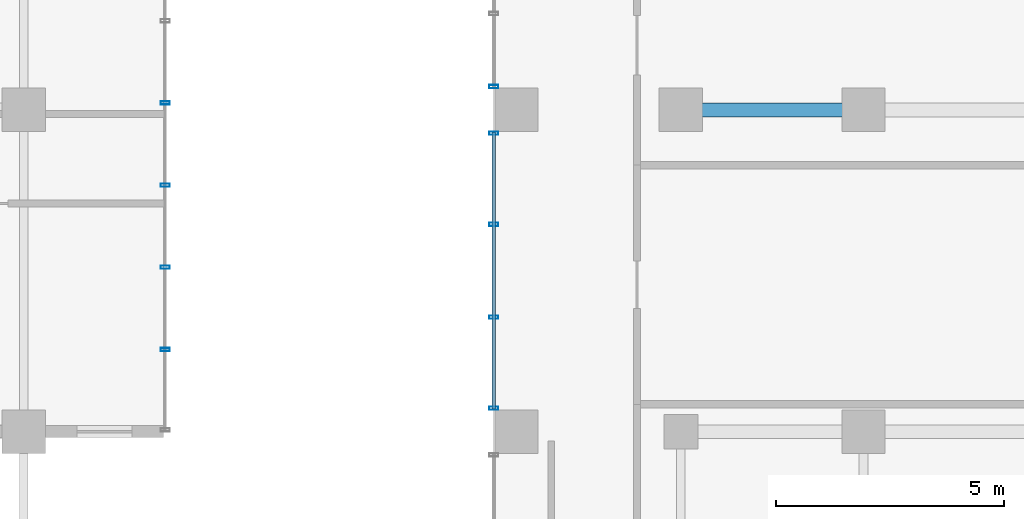
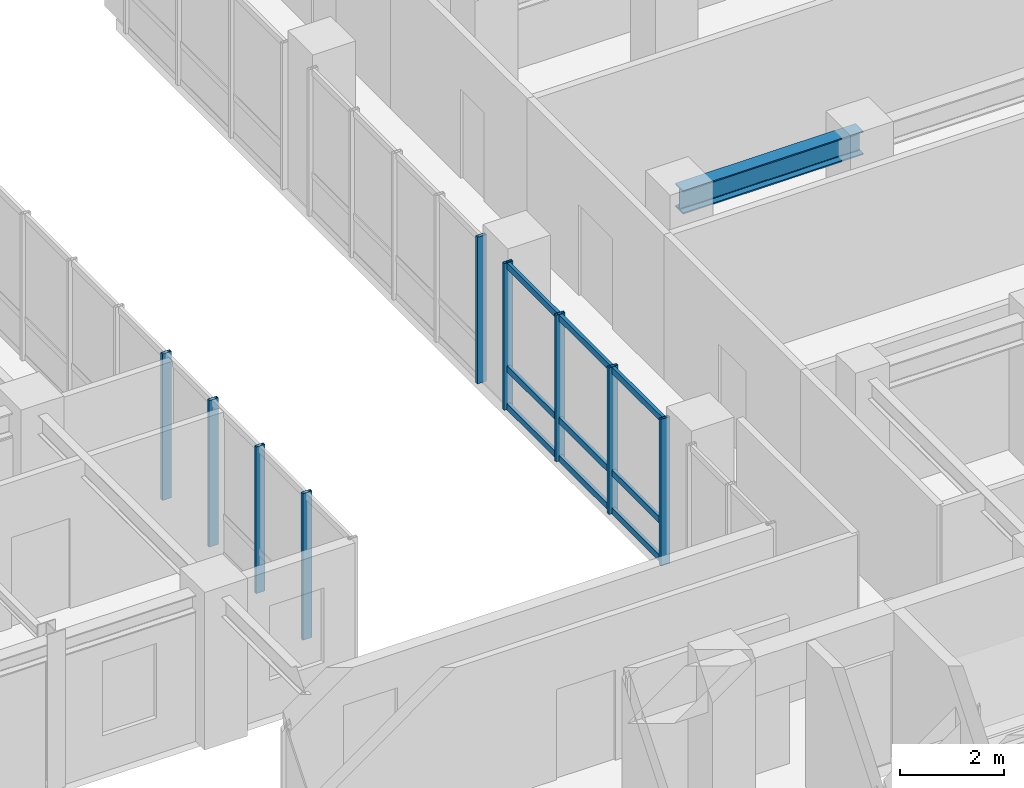
# One storey, part 9 of 24: 12 members, 1 beam, 3 elements without a shape of their own.
"""IFC4 building model written with IfcOpenShell, lengths in metres."""

from ifc_helpers import new_model, si_unit, direction, frame, origin, origin_2d, place, context, subcontext, project, spatial, hollow_rectangle, i_section, extrude, source, transform, mapped, material, layer, layer_set, material_profile, profile_set, type_object, element, aggregate, save


model = new_model("IFC4")

# Units and contexts
model_context = context("Model", 3, precision=1e-05, world=origin(), true_north=direction((0.0, 1.0)))
body_context = subcontext(model_context, "Body", "Model", "MODEL_VIEW")
ifc_project = project(units=[si_unit("LENGTHUNIT", "METRE"), si_unit("AREAUNIT", "SQUARE_METRE"), si_unit("VOLUMEUNIT", "CUBIC_METRE"), si_unit("PLANEANGLEUNIT", "RADIAN"), si_unit("MASSUNIT", "GRAM", prefix="KILO")], contexts=[model_context])

# Site, building, storey
site_placement = place(None, origin())
site = spatial("IfcSite", under=ifc_project, at=site_placement, CompositionType="ELEMENT")
building_placement = place(site_placement, origin())
building = spatial("IfcBuilding", under=site, at=building_placement, Name="Kaliganga Portal Commons", CompositionType="ELEMENT")
storey_placement = place(building_placement, frame((0.0, 0.0, 238.800048828125)))
storey = spatial("IfcBuildingStorey", under=building, at=storey_placement, Name="L61", CompositionType="ELEMENT", Elevation=238.800048828125)

# Beam
ifc_material_1 = material(Name="Structural steel S355J2", Category="steel")
ifc_material_profile_1 = material_profile(ifc_material_1, i_section(OverallWidth=0.300048828125, OverallDepth=0.550048828125, WebThickness=0.014892578125, FlangeThickness=0.029052734375, FilletRadius=0.027099609375, at=origin_2d()), Name="HE 550 B")
ifc_profile_set_1 = profile_set([ifc_material_profile_1], Name="Structural steel S355J2 wide-flange")
beam_type = type_object("IfcBeamType", Name="BM-GIRD-550", PredefinedType="USERDEFINED", material=ifc_profile_set_1)
shared_shape_1 = source(origin(), body_context, "Body", "SweptSolid", [
    extrude(i_section(OverallWidth=0.300048828125, OverallDepth=0.550048828125, WebThickness=0.014892578125, FlangeThickness=0.029052734375, FilletRadius=0.027099609375, at=origin_2d()), origin(), (0.0, 0.0, 1.0), 4.0),
])
beam_placement = place(storey_placement, frame((50.39990234375, 28.64990234375, 3.1650390625), z_axis=(1.0, 0.0, 0.0), x_axis=(0.0, 1.0, 0.0)))
element("IfcBeam", 1, at=beam_placement, inside=storey, type_object=beam_type, Name="BM G L61 BKE286 1", ObjectType="GIRDER", PredefinedType="USERDEFINED", context=body_context, shape_type="MappedRepresentation", body=[
    mapped(shared_shape_1, transform((0.0, 0.0, 0.0), x_axis=(1.0, 0.0, 0.0), y_axis=(0.0, 1.0, 0.0), z_axis=(0.0, 0.0, 1.0), scale=1.0)),
])

# Curtain wall, members
ifc_material_2 = material(Name="Anodized Aluminium and Laminated Low-E Glass", Category="aluminium")
ifc_layer = layer(ifc_material_2, 0.239990234375)
ifc_layer_set = layer_set([ifc_layer], Name="Anodized Aluminium and Laminated Low-E Glass")
curtain_wall_type = type_object("IfcCurtainWallType", Name="CW-SYS-04", PredefinedType="NOTDEFINED", material=ifc_layer_set)
curtain_wall_1_placement = place(storey_placement, origin())
curtain_wall_1 = element("IfcCurtainWall", 2, at=curtain_wall_1_placement, inside=storey, type_object=curtain_wall_type, Name="CW 04 L61 P1E01S1", PredefinedType="NOTDEFINED")
ifc_material_3 = material(Name="Dark Bronze Anodized Aluminium", Category="aluminium")
ifc_material_profile_2 = material_profile(ifc_material_3, hollow_rectangle(XDim=0.070068359375, YDim=0.199951171875, WallThickness=0.00390625, at=origin_2d()), Name="ALU MULL 70x200x4")
ifc_profile_set_2 = profile_set([ifc_material_profile_2], Name="Dark Bronze Anodized Aluminium")
member_type_1 = type_object("IfcMemberType", Name="CW-MUL-220", PredefinedType="MULLION", material=ifc_profile_set_2)
shared_shape_2 = source(origin(), body_context, "Body", "SweptSolid", [
    extrude(hollow_rectangle(XDim=0.070068359375, YDim=0.199951171875, WallThickness=0.00390625, at=origin_2d()), origin(), (0.0, 0.0, 1.0), 3.43994140625),
])
member_1_placement = place(storey_placement, frame((39.10009765625, 23.39990234375, 0.0), z_axis=(0.0, 0.0, 1.0), x_axis=(0.0, 1.0, 0.0)))
member_1 = element("IfcMember", 3, at=member_1_placement, type_object=member_type_1, Name="CW:04:L61:P1E01S1 Mullion 01", PredefinedType="MULLION", context=body_context, shape_type="MappedRepresentation", body=[
    mapped(shared_shape_2, transform((0.0, 0.0, 0.0), x_axis=(1.0, 0.0, 0.0), y_axis=(0.0, 1.0, 0.0), z_axis=(0.0, 0.0, 1.0), scale=1.0)),
])
member_2_placement = place(storey_placement, frame((39.10009765625, 25.199951171875, 0.0), z_axis=(0.0, 0.0, 1.0), x_axis=(0.0, 1.0, 0.0)))
member_2 = element("IfcMember", 4, at=member_2_placement, type_object=member_type_1, Name="CW:04:L61:P1E01S1 Mullion 02", PredefinedType="MULLION", context=body_context, shape_type="MappedRepresentation", body=[
    mapped(shared_shape_2, transform((0.0, 0.0, 0.0), x_axis=(1.0, 0.0, 0.0), y_axis=(0.0, 1.0, 0.0), z_axis=(0.0, 0.0, 1.0), scale=1.0)),
])
member_3_placement = place(storey_placement, frame((39.10009765625, 27.0, 0.0), z_axis=(0.0, 0.0, 1.0), x_axis=(0.0, 1.0, 0.0)))
member_3 = element("IfcMember", 5, at=member_3_placement, type_object=member_type_1, Name="CW:04:L61:P1E01S1 Mullion 03", PredefinedType="MULLION", context=body_context, shape_type="MappedRepresentation", body=[
    mapped(shared_shape_2, transform((0.0, 0.0, 0.0), x_axis=(1.0, 0.0, 0.0), y_axis=(0.0, 1.0, 0.0), z_axis=(0.0, 0.0, 1.0), scale=1.0)),
])
member_4_placement = place(storey_placement, frame((39.10009765625, 28.800048828125, 0.0), z_axis=(0.0, 0.0, 1.0), x_axis=(0.0, 1.0, 0.0)))
member_4 = element("IfcMember", 6, at=member_4_placement, type_object=member_type_1, Name="CW:04:L61:P1E01S1 Mullion 04", PredefinedType="MULLION", context=body_context, shape_type="MappedRepresentation", body=[
    mapped(shared_shape_2, transform((0.0, 0.0, 0.0), x_axis=(1.0, 0.0, 0.0), y_axis=(0.0, 1.0, 0.0), z_axis=(0.0, 0.0, 1.0), scale=1.0)),
])
aggregate(curtain_wall_1, [member_1, member_2, member_3, member_4])

# Curtain wall, member
curtain_wall_2_placement = place(storey_placement, origin())
curtain_wall_2 = element("IfcCurtainWall", 7, at=curtain_wall_2_placement, inside=storey, type_object=curtain_wall_type, Name="CW 04 L61 P2E03S2", PredefinedType="NOTDEFINED")
member_5_placement = place(storey_placement, frame((46.300048828125, 29.160888671875, 0.0), z_axis=(0.0, 0.0, 1.0), x_axis=(0.0, -1.0, 0.0)))
member_5 = element("IfcMember", 8, at=member_5_placement, type_object=member_type_1, Name="CW:04:L61:P2E03S2 Mullion 04", PredefinedType="MULLION", context=body_context, shape_type="MappedRepresentation", body=[
    mapped(shared_shape_2, transform((0.0, 0.0, 0.0), x_axis=(1.0, 0.0, 0.0), y_axis=(0.0, 1.0, 0.0), z_axis=(0.0, 0.0, 1.0), scale=1.0)),
])
aggregate(curtain_wall_2, [member_5])

# Curtain wall, members
curtain_wall_3_placement = place(storey_placement, origin())
curtain_wall_3 = element("IfcCurtainWall", 9, at=curtain_wall_3_placement, inside=storey, type_object=curtain_wall_type, Name="CW 04 L61 P2E03S3", PredefinedType="NOTDEFINED")
member_6_placement = place(storey_placement, frame((46.300048828125, 28.138916015625, 0.0), z_axis=(0.0, 0.0, 1.0), x_axis=(0.0, -1.0, 0.0)))
member_6 = element("IfcMember", 10, at=member_6_placement, type_object=member_type_1, Name="CW:04:L61:P2E03S3 Mullion 00", PredefinedType="MULLION", context=body_context, shape_type="MappedRepresentation", body=[
    mapped(shared_shape_2, transform((0.0, 0.0, 0.0), x_axis=(1.0, 0.0, 0.0), y_axis=(0.0, 1.0, 0.0), z_axis=(0.0, 0.0, 1.0), scale=1.0)),
])
member_7_placement = place(storey_placement, frame((46.300048828125, 26.141357421875, 0.0), z_axis=(0.0, 0.0, 1.0), x_axis=(0.0, -1.0, 0.0)))
member_7 = element("IfcMember", 11, at=member_7_placement, type_object=member_type_1, Name="CW:04:L61:P2E03S3 Mullion 01", PredefinedType="MULLION", context=body_context, shape_type="MappedRepresentation", body=[
    mapped(shared_shape_2, transform((0.0, 0.0, 0.0), x_axis=(1.0, 0.0, 0.0), y_axis=(0.0, 1.0, 0.0), z_axis=(0.0, 0.0, 1.0), scale=1.0)),
])
member_8_placement = place(storey_placement, frame((46.300048828125, 24.108642578125, 0.0), z_axis=(0.0, 0.0, 1.0), x_axis=(0.0, -1.0, 0.0)))
member_8 = element("IfcMember", 12, at=member_8_placement, type_object=member_type_1, Name="CW:04:L61:P2E03S3 Mullion 02", PredefinedType="MULLION", context=body_context, shape_type="MappedRepresentation", body=[
    mapped(shared_shape_2, transform((0.0, 0.0, 0.0), x_axis=(1.0, 0.0, 0.0), y_axis=(0.0, 1.0, 0.0), z_axis=(0.0, 0.0, 1.0), scale=1.0)),
])
member_9_placement = place(storey_placement, frame((46.300048828125, 22.111083984375, 0.0), z_axis=(0.0, 0.0, 1.0), x_axis=(0.0, -1.0, 0.0)))
member_9 = element("IfcMember", 13, at=member_9_placement, type_object=member_type_1, Name="CW:04:L61:P2E03S3 Mullion 03", PredefinedType="MULLION", context=body_context, shape_type="MappedRepresentation", body=[
    mapped(shared_shape_2, transform((0.0, 0.0, 0.0), x_axis=(1.0, 0.0, 0.0), y_axis=(0.0, 1.0, 0.0), z_axis=(0.0, 0.0, 1.0), scale=1.0)),
])
ifc_material_profile_3 = material_profile(ifc_material_3, hollow_rectangle(XDim=0.070068359375, YDim=0.14990234375, WallThickness=0.00341796875, at=origin_2d()), Name="ALU TRAN 70x150x3.5")
ifc_profile_set_3 = profile_set([ifc_material_profile_3], Name="Dark Bronze Anodized Aluminium")
member_type_2 = type_object("IfcMemberType", Name="CW-TRN-150", PredefinedType="USERDEFINED", material=ifc_profile_set_3)
shared_shape_3 = source(origin(), body_context, "Body", "SweptSolid", [
    extrude(hollow_rectangle(XDim=0.070068359375, YDim=0.14990234375, WallThickness=0.00341796875, at=origin_2d()), origin(), (0.0, 0.0, 1.0), 6.05810546875),
])
member_10_placement = place(storey_placement, frame((46.300048828125, 28.154052734375, 0.06005859375), z_axis=(0.0, -1.0, 0.0), x_axis=(1.0, 0.0, 0.0)))
member_10 = element("IfcMember", 14, at=member_10_placement, type_object=member_type_2, Name="CW:04:L61:P2E03S3 Transom 1", ObjectType="TRANSOM", PredefinedType="USERDEFINED", context=body_context, shape_type="MappedRepresentation", body=[
    mapped(shared_shape_3, transform((0.0, 0.0, 0.0), x_axis=(1.0, 0.0, 0.0), y_axis=(0.0, 1.0, 0.0), z_axis=(0.0, 0.0, 1.0), scale=1.0)),
])
member_11_placement = place(storey_placement, frame((46.300048828125, 28.154052734375, 0.949951171875), z_axis=(0.0, -1.0, 0.0), x_axis=(1.0, 0.0, 0.0)))
member_11 = element("IfcMember", 15, at=member_11_placement, type_object=member_type_2, Name="CW:04:L61:P2E03S3 Transom 2", ObjectType="TRANSOM", PredefinedType="USERDEFINED", context=body_context, shape_type="MappedRepresentation", body=[
    mapped(shared_shape_3, transform((0.0, 0.0, 0.0), x_axis=(1.0, 0.0, 0.0), y_axis=(0.0, 1.0, 0.0), z_axis=(0.0, 0.0, 1.0), scale=1.0)),
])
member_12_placement = place(storey_placement, frame((46.300048828125, 28.154052734375, 3.35986328125), z_axis=(0.0, -1.0, 0.0), x_axis=(1.0, 0.0, 0.0)))
member_12 = element("IfcMember", 16, at=member_12_placement, type_object=member_type_2, Name="CW:04:L61:P2E03S3 Transom 3", ObjectType="TRANSOM", PredefinedType="USERDEFINED", context=body_context, shape_type="MappedRepresentation", body=[
    mapped(shared_shape_3, transform((0.0, 0.0, 0.0), x_axis=(1.0, 0.0, 0.0), y_axis=(0.0, 1.0, 0.0), z_axis=(0.0, 0.0, 1.0), scale=1.0)),
])
aggregate(curtain_wall_3, [member_6, member_7, member_8, member_9, member_10, member_11, member_12])

save(model, "model.ifc")
